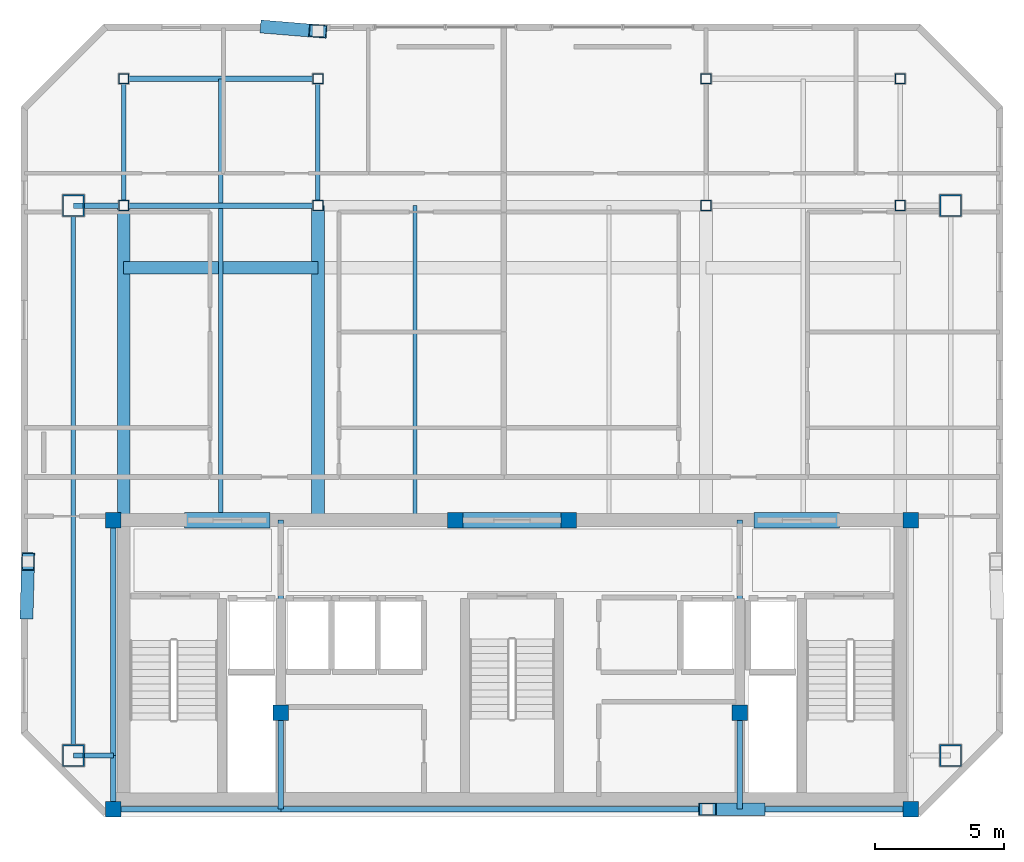
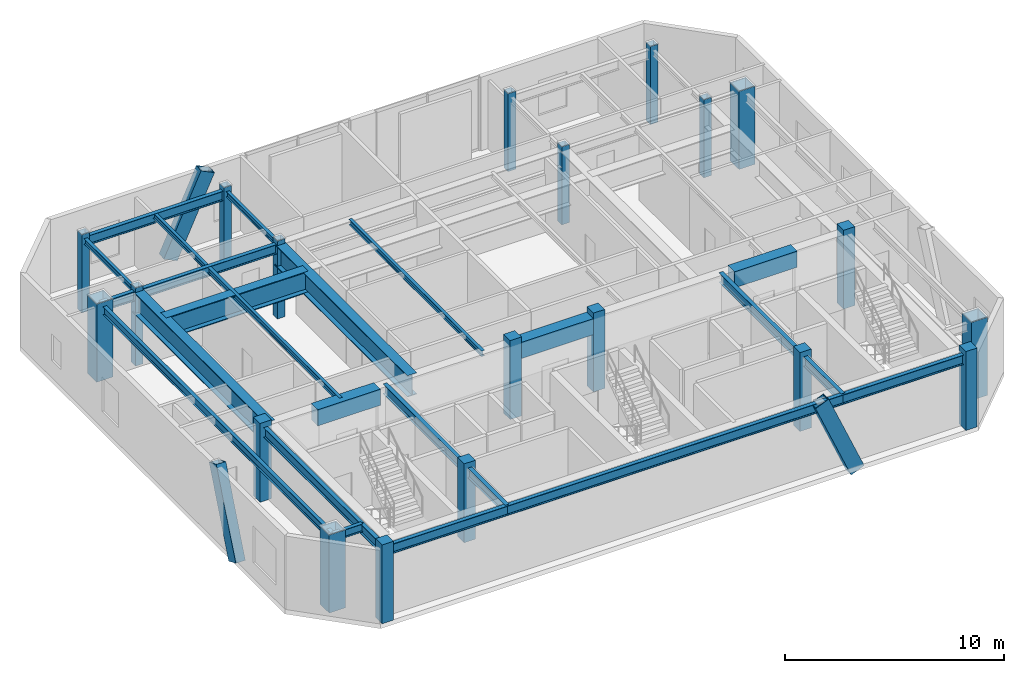
# One storey, part 1 of 10: 25 beams, 20 columns, 3 members.
"""IFC4 building model written with IfcOpenShell, lengths in metres."""

from ifc_helpers import new_model, si_unit, direction, frame, origin, origin_2d, place, context, subcontext, project, spatial, rectangle, hollow_rectangle, i_section, extrude, material, material_profile, profile_set, type_object, element, save


model = new_model("IFC4")

# Units and contexts
model_context = context("Model", 3, precision=1e-05, world=origin(), true_north=direction((0.0, 1.0)))
body_context = subcontext(model_context, "Body", "Model", "MODEL_VIEW")
ifc_project = project(units=[si_unit("LENGTHUNIT", "METRE"), si_unit("AREAUNIT", "SQUARE_METRE"), si_unit("VOLUMEUNIT", "CUBIC_METRE"), si_unit("PLANEANGLEUNIT", "RADIAN"), si_unit("MASSUNIT", "GRAM", prefix="KILO")], contexts=[model_context])

# Site, building, storey
site_placement = place(None, origin())
site = spatial("IfcSite", under=ifc_project, at=site_placement, CompositionType="ELEMENT")
building_placement = place(site_placement, origin())
building = spatial("IfcBuilding", under=site, at=building_placement, Name="Ventersveld Concourse Tower", CompositionType="ELEMENT")
storey_placement = place(building_placement, frame((0.0, 0.0, 362.25)))
storey = spatial("IfcBuildingStorey", under=building, at=storey_placement, Name="L89", CompositionType="ELEMENT", Elevation=362.25)

# Columns
ifc_material_1 = material(Name="Concrete C50/60", Category="concrete")
ifc_material_profile_1 = material_profile(ifc_material_1, rectangle(XDim=0.60009765625, YDim=0.60009765625, at=origin_2d()), Name="RC 600x600")
ifc_profile_set_1 = profile_set([ifc_material_profile_1], Name="Concrete C50/60")
column_type_1 = type_object("IfcColumnType", Name="COL-RC600", PredefinedType="COLUMN", material=ifc_profile_set_1)
for number, where, z_axis, x_axis, name in (
    (1, (13.35009765625, 0.280029296875, 0.0), (0.0, 0.0, 1.0), (1.0, 0.0, 0.0), "L89 Core Spine Column CC-SW"),
    (2, (44.14990234375, 0.280029296875, 0.0), (0.0, 0.0, 1.0), (1.0, 0.0, 0.0), "L89 Core Spine Column CC-SE"),
    (3, (13.35009765625, 11.449951171875, 0.0), (0.0, 0.0, 1.0), (1.0, 0.0, 0.0), "L89 Core Spine Column CC-NW"),
    (4, (44.14990234375, 11.449951171875, 0.0), (0.0, 0.0, 1.0), (1.0, 0.0, 0.0), "L89 Core Spine Column CC-NE"),
    (5, (19.820068359375, 4.0, 0.0), (0.0, 0.0, 1.0), (1.0, 0.0, 0.0), "L89 Core Spine Column CM-1"),
    (6, (37.550048828125, 4.0, 0.0), (0.0, 0.0, 1.0), (1.0, 0.0, 0.0), "L89 Core Spine Column CM-2"),
    (7, (26.550048828125, 11.449951171875, 0.0), (0.0, 0.0, 1.0), (1.0, 0.0, 0.0), "L89 Core Spine Column CM-3"),
    (8, (30.949951171875, 11.449951171875, 0.0), (0.0, 0.0, 1.0), (1.0, 0.0, 0.0), "L89 Core Spine Column CM-4"),
):
    element("IfcColumn", number, at=place(storey_placement, frame(where, z_axis=z_axis, x_axis=x_axis)), inside=storey, type_object=column_type_1, Name=name, PredefinedType="COLUMN", context=body_context, shape_type="SweptSolid", body=[
        extrude(rectangle(XDim=0.60009765625, YDim=0.60009765625, at=origin_2d()), origin(), (0.0, 0.0, 1.0), 4.39990234375),
    ])
ifc_material_2 = material(Name="Structural steel S355J2", Category="steel")
ifc_material_profile_2 = material_profile(ifc_material_2, hollow_rectangle(XDim=0.39990234375, YDim=0.39990234375, WallThickness=0.02001953125, at=origin_2d()), Name="SHS 400x400x20")
ifc_profile_set_2 = profile_set([ifc_material_profile_2], Name="Structural steel S355J2")
column_type_2 = type_object("IfcColumnType", Name="COL-SHS400", PredefinedType="COLUMN", material=ifc_profile_set_2)
for number, where, z_axis, x_axis, name in (
    (9, (13.75, 23.60009765625, 0.0), (0.0, 0.0, 1.0), (1.0, 0.0, 0.0), "L89 Interior Gravity Column X=13.75 Y=23.60"),
    (10, (21.25, 23.60009765625, 0.0), (0.0, 0.0, 1.0), (1.0, 0.0, 0.0), "L89 Interior Gravity Column X=21.25 Y=23.60"),
    (11, (36.25, 23.60009765625, 0.0), (0.0, 0.0, 1.0), (1.0, 0.0, 0.0), "L89 Interior Gravity Column X=36.25 Y=23.60"),
    (12, (43.75, 23.60009765625, 0.0), (0.0, 0.0, 1.0), (1.0, 0.0, 0.0), "L89 Interior Gravity Column X=43.75 Y=23.60"),
    (13, (13.75, 28.5, 0.0), (0.0, 0.0, 1.0), (1.0, 0.0, 0.0), "L89 Upper-North Gravity Column X=13.75 Y=28.50"),
    (14, (21.25, 28.5, 0.0), (0.0, 0.0, 1.0), (1.0, 0.0, 0.0), "L89 Upper-North Gravity Column X=21.25 Y=28.50"),
    (15, (36.25, 28.5, 0.0), (0.0, 0.0, 1.0), (1.0, 0.0, 0.0), "L89 Upper-North Gravity Column X=36.25 Y=28.50"),
    (16, (43.75, 28.5, 0.0), (0.0, 0.0, 1.0), (1.0, 0.0, 0.0), "L89 Upper-North Gravity Column X=43.75 Y=28.50"),
):
    element("IfcColumn", number, at=place(storey_placement, frame(where, z_axis=z_axis, x_axis=x_axis)), inside=storey, type_object=column_type_2, Name=name, PredefinedType="COLUMN", context=body_context, shape_type="SweptSolid", body=[
        extrude(hollow_rectangle(XDim=0.39990234375, YDim=0.39990234375, WallThickness=0.02001953125, at=origin_2d()), origin(), (0.0, 0.0, 1.0), 4.35009765625),
    ])
ifc_material_3 = material(Name="Structural steel S460ML", Category="steel")
ifc_material_profile_3 = material_profile(ifc_material_3, hollow_rectangle(XDim=0.85009765625, YDim=0.85009765625, WallThickness=0.050048828125, at=origin_2d()), Name="BOX 850x850x50")
ifc_profile_set_3 = profile_set([ifc_material_profile_3], Name="Structural steel S460ML")
column_type_3 = type_object("IfcColumnType", Name="MC-850", PredefinedType="USERDEFINED", material=ifc_profile_set_3)
for number, where, z_axis, x_axis, name in (
    (17, (11.800048828125, 2.35009765625, 0.0), (0.0, 0.0, 1.0), (1.0, 0.0, 0.0), "L89 Corner Mega-Column MC-SW"),
    (18, (45.699951171875, 2.35009765625, 0.0), (0.0, 0.0, 1.0), (1.0, 0.0, 0.0), "L89 Corner Mega-Column MC-SE"),
    (19, (45.699951171875, 23.60009765625, 0.0), (0.0, 0.0, 1.0), (1.0, 0.0, 0.0), "L89 Corner Mega-Column MC-NE"),
    (20, (11.800048828125, 23.60009765625, 0.0), (0.0, 0.0, 1.0), (1.0, 0.0, 0.0), "L89 Corner Mega-Column MC-NW"),
):
    element("IfcColumn", number, at=place(storey_placement, frame(where, z_axis=z_axis, x_axis=x_axis)), inside=storey, type_object=column_type_3, Name=name, ObjectType="MEGA_COLUMN", PredefinedType="USERDEFINED", context=body_context, shape_type="SweptSolid", body=[
        extrude(hollow_rectangle(XDim=0.85009765625, YDim=0.85009765625, WallThickness=0.050048828125, at=origin_2d()), origin(), (0.0, 0.0, 1.0), 4.35009765625),
    ])

# Beams
ifc_material_profile_4 = material_profile(ifc_material_2, i_section(OverallWidth=0.1650390625, OverallDepth=0.303466796875, WebThickness=0.006103515625, FlangeThickness=0.01025390625, FilletRadius=0.0087890625, at=origin_2d()), Name="UB 305x165x40")
ifc_profile_set_4 = profile_set([ifc_material_profile_4], Name="Structural steel S355J2")
beam_type_1 = type_object("IfcBeamType", Name="BM-UB305", PredefinedType="BEAM", material=ifc_profile_set_4)
beam_1_placement = place(storey_placement, frame((13.75, 23.60009765625, 3.9482421875), z_axis=(0.0, 1.0, 0.0), x_axis=(-1.0, 0.0, 0.0)))
element("IfcBeam", 21, at=beam_1_placement, inside=storey, type_object=beam_type_1, Name="L89 N-S Upper-Zone Floor Beam X=13.75", PredefinedType="BEAM", context=body_context, shape_type="SweptSolid", body=[
    extrude(i_section(OverallWidth=0.1650390625, OverallDepth=0.303466796875, WebThickness=0.006103515625, FlangeThickness=0.01025390625, FilletRadius=0.0087890625, at=origin_2d()), origin(), (0.0, 0.0, 1.0), 4.89990234375),
])
beam_2_placement = place(storey_placement, frame((17.5, 11.449951171875, 3.9482421875), z_axis=(0.0, 1.0, 0.0), x_axis=(-1.0, 0.0, 0.0)))
element("IfcBeam", 22, at=beam_2_placement, inside=storey, type_object=beam_type_1, Name="L89 N-S Composite Floor Beam South X=17.50", PredefinedType="BEAM", context=body_context, shape_type="SweptSolid", body=[
    extrude(i_section(OverallWidth=0.1650390625, OverallDepth=0.303466796875, WebThickness=0.006103515625, FlangeThickness=0.01025390625, FilletRadius=0.0087890625, at=origin_2d()), origin(), (0.0, 0.0, 1.0), 12.054931640625),
])
beam_3_placement = place(storey_placement, frame((17.5, 23.695068359375, 3.9482421875), z_axis=(0.0, 1.0, 0.0), x_axis=(-1.0, 0.0, 0.0)))
element("IfcBeam", 23, at=beam_3_placement, inside=storey, type_object=beam_type_1, Name="L89 N-S Upper-Zone Floor Beam X=17.50", PredefinedType="BEAM", context=body_context, shape_type="SweptSolid", body=[
    extrude(i_section(OverallWidth=0.1650390625, OverallDepth=0.303466796875, WebThickness=0.006103515625, FlangeThickness=0.01025390625, FilletRadius=0.0087890625, at=origin_2d()), origin(), (0.0, 0.0, 1.0), 4.804931640625),
])
beam_4_placement = place(storey_placement, frame((21.25, 23.60009765625, 3.9482421875), z_axis=(0.0, 1.0, 0.0), x_axis=(-1.0, 0.0, 0.0)))
element("IfcBeam", 24, at=beam_4_placement, inside=storey, type_object=beam_type_1, Name="L89 N-S Upper-Zone Floor Beam X=21.25", PredefinedType="BEAM", context=body_context, shape_type="SweptSolid", body=[
    extrude(i_section(OverallWidth=0.1650390625, OverallDepth=0.303466796875, WebThickness=0.006103515625, FlangeThickness=0.01025390625, FilletRadius=0.0087890625, at=origin_2d()), origin(), (0.0, 0.0, 1.0), 4.89990234375),
])
beam_5_placement = place(storey_placement, frame((25.0, 11.449951171875, 3.9482421875), z_axis=(0.0, 1.0, 0.0), x_axis=(-1.0, 0.0, 0.0)))
element("IfcBeam", 25, at=beam_5_placement, inside=storey, type_object=beam_type_1, Name="L89 N-S Composite Floor Beam South X=25.00", PredefinedType="BEAM", context=body_context, shape_type="SweptSolid", body=[
    extrude(i_section(OverallWidth=0.1650390625, OverallDepth=0.303466796875, WebThickness=0.006103515625, FlangeThickness=0.01025390625, FilletRadius=0.0087890625, at=origin_2d()), origin(), (0.0, 0.0, 1.0), 12.150146484375),
])
ifc_material_profile_5 = material_profile(ifc_material_1, rectangle(XDim=0.60009765625, YDim=0.89990234375, at=origin_2d()), Name="RC 600x900")
ifc_profile_set_5 = profile_set([ifc_material_profile_5], Name="Concrete C50/60")
beam_type_2 = type_object("IfcBeamType", Name="CB-RC600x900U", PredefinedType="LINTEL", material=ifc_profile_set_5)
beam_6_placement = place(storey_placement, frame((16.10009765625, 11.449951171875, 3.64990234375), z_axis=(1.0, 0.0, 0.0), x_axis=(0.0, 1.0, 0.0)))
element("IfcBeam", 26, at=beam_6_placement, inside=storey, type_object=beam_type_2, Name="L89 Core Coupling Lintel Beam 1", PredefinedType="LINTEL", context=body_context, shape_type="SweptSolid", body=[
    extrude(rectangle(XDim=0.60009765625, YDim=0.89990234375, at=origin_2d()), origin(), (0.0, 0.0, 1.0), 3.2998046875),
])
beam_7_placement = place(storey_placement, frame((26.5, 11.449951171875, 3.64990234375), z_axis=(1.0, 0.0, 0.0), x_axis=(0.0, 1.0, 0.0)))
element("IfcBeam", 27, at=beam_7_placement, inside=storey, type_object=beam_type_2, Name="L89 Core Coupling Lintel Beam 2", PredefinedType="LINTEL", context=body_context, shape_type="SweptSolid", body=[
    extrude(rectangle(XDim=0.60009765625, YDim=0.89990234375, at=origin_2d()), origin(), (0.0, 0.0, 1.0), 4.5),
])
beam_8_placement = place(storey_placement, frame((38.10009765625, 11.449951171875, 3.64990234375), z_axis=(1.0, 0.0, 0.0), x_axis=(0.0, 1.0, 0.0)))
element("IfcBeam", 28, at=beam_8_placement, inside=storey, type_object=beam_type_2, Name="L89 Core Coupling Lintel Beam 3", PredefinedType="LINTEL", context=body_context, shape_type="SweptSolid", body=[
    extrude(rectangle(XDim=0.60009765625, YDim=0.89990234375, at=origin_2d()), origin(), (0.0, 0.0, 1.0), 3.2998046875),
])
ifc_material_profile_6 = material_profile(ifc_material_2, i_section(OverallWidth=0.209228515625, OverallDepth=0.533203125, WebThickness=0.010009765625, FlangeThickness=0.015625, FilletRadius=0.0126953125, at=origin_2d()), Name="UB 533x210x92")
ifc_profile_set_6 = profile_set([ifc_material_profile_6], Name="Structural steel S355J2")
beam_type_3 = type_object("IfcBeamType", Name="GRD-UB533", PredefinedType="T_BEAM", material=ifc_profile_set_6)
beam_9_placement = place(storey_placement, frame((11.800048828125, 23.60009765625, 3.83349609375), z_axis=(1.0, 0.0, 0.0), x_axis=(0.0, 1.0, 0.0)))
element("IfcBeam", 29, at=beam_9_placement, inside=storey, type_object=beam_type_3, Name="L89 Primary E-W Grid Girder Y=23.60 #1", PredefinedType="T_BEAM", context=body_context, shape_type="SweptSolid", body=[
    extrude(i_section(OverallWidth=0.209228515625, OverallDepth=0.533203125, WebThickness=0.010009765625, FlangeThickness=0.015625, FilletRadius=0.0126953125, at=origin_2d()), origin(), (0.0, 0.0, 1.0), 1.949951171875),
])
for number, where, z_axis, x_axis, name in (
    (30, (13.75, 23.60009765625, 3.83349609375), (1.0, 0.0, 0.0), (0.0, 1.0, 0.0), "L89 Primary E-W Grid Girder Y=23.60 #2"),
    (31, (13.75, 28.5, 3.83349609375), (1.0, 0.0, 0.0), (0.0, 1.0, 0.0), "L89 North Girder Y=28.50 W"),
):
    element("IfcBeam", number, at=place(storey_placement, frame(where, z_axis=z_axis, x_axis=x_axis)), inside=storey, type_object=beam_type_3, Name=name, PredefinedType="T_BEAM", context=body_context, shape_type="SweptSolid", body=[
        extrude(i_section(OverallWidth=0.209228515625, OverallDepth=0.533203125, WebThickness=0.010009765625, FlangeThickness=0.015625, FilletRadius=0.0126953125, at=origin_2d()), origin(), (0.0, 0.0, 1.0), 7.5),
    ])
ifc_material_profile_7 = material_profile(ifc_material_2, i_section(OverallWidth=0.2119140625, OverallDepth=0.54443359375, WebThickness=0.0126953125, FlangeThickness=0.021240234375, FilletRadius=0.0126953125, at=origin_2d()), Name="UB 533x210x122")
ifc_profile_set_7 = profile_set([ifc_material_profile_7], Name="Structural steel S355J2")
beam_type_4 = type_object("IfcBeamType", Name="GRD-UB533H", PredefinedType="T_BEAM", material=ifc_profile_set_7)
beam_10_placement = place(storey_placement, frame((13.35009765625, 0.280029296875, 3.827880859375), z_axis=(0.0, 1.0, 0.0), x_axis=(-1.0, 0.0, 0.0)))
element("IfcBeam", 32, at=beam_10_placement, inside=storey, type_object=beam_type_4, Name="L89 Core West Tie Beam S", PredefinedType="T_BEAM", context=body_context, shape_type="SweptSolid", body=[
    extrude(i_section(OverallWidth=0.2119140625, OverallDepth=0.54443359375, WebThickness=0.0126953125, FlangeThickness=0.021240234375, FilletRadius=0.0126953125, at=origin_2d()), origin(), (0.0, 0.0, 1.0), 2.070068359375),
])
beam_11_placement = place(storey_placement, frame((13.35009765625, 2.35009765625, 3.827880859375), z_axis=(0.0, 1.0, 0.0), x_axis=(-1.0, 0.0, 0.0)))
element("IfcBeam", 33, at=beam_11_placement, inside=storey, type_object=beam_type_4, Name="L89 Core West Tie Beam N", PredefinedType="T_BEAM", context=body_context, shape_type="SweptSolid", body=[
    extrude(i_section(OverallWidth=0.2119140625, OverallDepth=0.54443359375, WebThickness=0.0126953125, FlangeThickness=0.021240234375, FilletRadius=0.0126953125, at=origin_2d()), origin(), (0.0, 0.0, 1.0), 9.099853515625),
])
beam_12_placement = place(storey_placement, frame((13.35009765625, 0.280029296875, 3.827880859375), z_axis=(1.0, 0.0, 0.0), x_axis=(0.0, 1.0, 0.0)))
element("IfcBeam", 34, at=beam_12_placement, inside=storey, type_object=beam_type_4, Name="L89 Core South Tie Beam W", PredefinedType="T_BEAM", context=body_context, shape_type="SweptSolid", body=[
    extrude(i_section(OverallWidth=0.2119140625, OverallDepth=0.54443359375, WebThickness=0.0126953125, FlangeThickness=0.021240234375, FilletRadius=0.0126953125, at=origin_2d()), origin(), (0.0, 0.0, 1.0), 6.469970703125),
])
beam_13_placement = place(storey_placement, frame((19.820068359375, 0.280029296875, 3.827880859375), z_axis=(1.0, 0.0, 0.0), x_axis=(0.0, 1.0, 0.0)))
element("IfcBeam", 35, at=beam_13_placement, inside=storey, type_object=beam_type_4, Name="L89 Core South Tie Beam C", PredefinedType="T_BEAM", context=body_context, shape_type="SweptSolid", body=[
    extrude(i_section(OverallWidth=0.2119140625, OverallDepth=0.54443359375, WebThickness=0.0126953125, FlangeThickness=0.021240234375, FilletRadius=0.0126953125, at=origin_2d()), origin(), (0.0, 0.0, 1.0), 17.72998046875),
])
beam_14_placement = place(storey_placement, frame((37.550048828125, 0.280029296875, 3.827880859375), z_axis=(1.0, 0.0, 0.0), x_axis=(0.0, 1.0, 0.0)))
element("IfcBeam", 36, at=beam_14_placement, inside=storey, type_object=beam_type_4, Name="L89 Core South Tie Beam E", PredefinedType="T_BEAM", context=body_context, shape_type="SweptSolid", body=[
    extrude(i_section(OverallWidth=0.2119140625, OverallDepth=0.54443359375, WebThickness=0.0126953125, FlangeThickness=0.021240234375, FilletRadius=0.0126953125, at=origin_2d()), origin(), (0.0, 0.0, 1.0), 6.599853515625),
])
beam_15_placement = place(storey_placement, frame((19.820068359375, 0.280029296875, 3.827880859375), z_axis=(0.0, 1.0, 0.0), x_axis=(-1.0, 0.0, 0.0)))
element("IfcBeam", 37, at=beam_15_placement, inside=storey, type_object=beam_type_4, Name="L89 Core Spine N-S Tie Beam W1", PredefinedType="T_BEAM", context=body_context, shape_type="SweptSolid", body=[
    extrude(i_section(OverallWidth=0.2119140625, OverallDepth=0.54443359375, WebThickness=0.0126953125, FlangeThickness=0.021240234375, FilletRadius=0.0126953125, at=origin_2d()), origin(), (0.0, 0.0, 1.0), 3.719970703125),
])
beam_16_placement = place(storey_placement, frame((19.820068359375, 4.0, 3.827880859375), z_axis=(0.0, 1.0, 0.0), x_axis=(-1.0, 0.0, 0.0)))
element("IfcBeam", 38, at=beam_16_placement, inside=storey, type_object=beam_type_4, Name="L89 Core Spine N-S Tie Beam W2", PredefinedType="T_BEAM", context=body_context, shape_type="SweptSolid", body=[
    extrude(i_section(OverallWidth=0.2119140625, OverallDepth=0.54443359375, WebThickness=0.0126953125, FlangeThickness=0.021240234375, FilletRadius=0.0126953125, at=origin_2d()), origin(), (0.0, 0.0, 1.0), 7.449951171875),
])
beam_17_placement = place(storey_placement, frame((37.550048828125, 0.280029296875, 3.827880859375), z_axis=(0.0, 1.0, 0.0), x_axis=(-1.0, 0.0, 0.0)))
element("IfcBeam", 39, at=beam_17_placement, inside=storey, type_object=beam_type_4, Name="L89 Core Spine N-S Tie Beam E1", PredefinedType="T_BEAM", context=body_context, shape_type="SweptSolid", body=[
    extrude(i_section(OverallWidth=0.2119140625, OverallDepth=0.54443359375, WebThickness=0.0126953125, FlangeThickness=0.021240234375, FilletRadius=0.0126953125, at=origin_2d()), origin(), (0.0, 0.0, 1.0), 3.719970703125),
])
beam_18_placement = place(storey_placement, frame((37.550048828125, 4.0, 3.827880859375), z_axis=(0.0, 1.0, 0.0), x_axis=(-1.0, 0.0, 0.0)))
element("IfcBeam", 40, at=beam_18_placement, inside=storey, type_object=beam_type_4, Name="L89 Core Spine N-S Tie Beam E2", PredefinedType="T_BEAM", context=body_context, shape_type="SweptSolid", body=[
    extrude(i_section(OverallWidth=0.2119140625, OverallDepth=0.54443359375, WebThickness=0.0126953125, FlangeThickness=0.021240234375, FilletRadius=0.0126953125, at=origin_2d()), origin(), (0.0, 0.0, 1.0), 7.449951171875),
])

# Members
ifc_material_4 = material(Name="Structural steel S355ML", Category="steel")
ifc_material_profile_8 = material_profile(ifc_material_4, hollow_rectangle(XDim=0.5, YDim=0.75, WallThickness=0.034912109375, at=origin_2d()), Name="BOX 750x500x35")
ifc_profile_set_8 = profile_set([ifc_material_profile_8], Name="Structural steel S355ML")
member_type = type_object("IfcMemberType", Name="MB-750x500", PredefinedType="BRACE", material=ifc_profile_set_8)
member_1_placement = place(storey_placement, frame((19.375, 30.494140625, -0.260009765625), z_axis=(0.394847161186, -0.032441218582, 0.91817388693), x_axis=(0.08188553882, 0.996641740312, 0.0)))
element("IfcMember", 41, at=member_1_placement, inside=storey, type_object=member_type, Name="L89 Exterior Mega-Brace N (Module M21)", PredefinedType="BRACE", context=body_context, shape_type="SweptSolid", body=[
    extrude(hollow_rectangle(XDim=0.5, YDim=0.75, WallThickness=0.034912109375, at=origin_2d()), origin(), (0.0, 0.0, 1.0), 4.748779296875),
])
member_2_placement = place(storey_placement, frame((38.175048828125, 0.280029296875, -0.260009765625), z_axis=(-0.395055100357, 0.0, 0.918657426728), x_axis=(0.0, -1.0, 0.0)))
element("IfcMember", 42, at=member_2_placement, inside=storey, type_object=member_type, Name="L89 Exterior Mega-Brace S (Module M21)", PredefinedType="BRACE", context=body_context, shape_type="SweptSolid", body=[
    extrude(hollow_rectangle(XDim=0.5, YDim=0.75, WallThickness=0.034912109375, at=origin_2d()), origin(), (0.0, 0.0, 1.0), 4.74609375),
])
member_3_placement = place(storey_placement, frame((10.001708984375, 7.97509765625, -0.260009765625), z_axis=(0.011213098632, 0.39503026373, 0.918599671868), x_axis=(-0.999597377348, 0.028373988055, 0.0)))
element("IfcMember", 43, at=member_3_placement, inside=storey, type_object=member_type, Name="L89 Exterior Mega-Brace W (Module M21)", PredefinedType="BRACE", context=body_context, shape_type="SweptSolid", body=[
    extrude(hollow_rectangle(XDim=0.5, YDim=0.75, WallThickness=0.034912109375, at=origin_2d()), origin(), (0.0, 0.0, 1.0), 4.74658203125),
])

# Beams
ifc_material_profile_9 = material_profile(ifc_material_2, i_section(OverallWidth=0.19140625, OverallDepth=0.4599609375, WebThickness=0.010009765625, FlangeThickness=0.01611328125, FilletRadius=0.01025390625, at=origin_2d()), Name="UB 457x191x82")
ifc_profile_set_9 = profile_set([ifc_material_profile_9], Name="Structural steel S355J2")
beam_type_5 = type_object("IfcBeamType", Name="SPD-UB457", PredefinedType="SPANDREL", material=ifc_profile_set_9)
beam_19_placement = place(storey_placement, frame((11.800048828125, 2.35009765625, 3.8701171875), z_axis=(1.0, 0.0, 0.0), x_axis=(0.0, 1.0, 0.0)))
element("IfcBeam", 44, at=beam_19_placement, inside=storey, type_object=beam_type_5, Name="L89 SW Spandrel Beam", PredefinedType="SPANDREL", context=body_context, shape_type="SweptSolid", body=[
    extrude(i_section(OverallWidth=0.19140625, OverallDepth=0.4599609375, WebThickness=0.010009765625, FlangeThickness=0.01611328125, FilletRadius=0.01025390625, at=origin_2d()), origin(), (0.0, 0.0, 1.0), 1.550048828125),
])
beam_20_placement = place(storey_placement, frame((11.800048828125, 2.35009765625, 3.8701171875), z_axis=(0.0, 1.0, 0.0), x_axis=(-1.0, 0.0, 0.0)))
element("IfcBeam", 45, at=beam_20_placement, inside=storey, type_object=beam_type_5, Name="L89 West Spandrel Beam", PredefinedType="SPANDREL", context=body_context, shape_type="SweptSolid", body=[
    extrude(i_section(OverallWidth=0.19140625, OverallDepth=0.4599609375, WebThickness=0.010009765625, FlangeThickness=0.01611328125, FilletRadius=0.01025390625, at=origin_2d()), origin(), (0.0, 0.0, 1.0), 21.25),
])
ifc_material_profile_10 = material_profile(ifc_material_3, i_section(OverallWidth=0.5, OverallDepth=1.199951171875, WebThickness=0.028076171875, FlangeThickness=0.044921875, at=origin_2d()), Name="PG 1200x500x45")
ifc_profile_set_10 = profile_set([ifc_material_profile_10], Name="Structural steel S460ML")
beam_type_6 = type_object("IfcBeamType", Name="TG-PG1200", PredefinedType="USERDEFINED", material=ifc_profile_set_10)
for number, where, z_axis, x_axis, name in (
    (46, (13.75, 11.449951171875, 3.5), (0.0, 1.0, 0.0), (-1.0, 0.0, 0.0), "L89 Crown Drum North Support Transfer Girder X=13.75"),
    (47, (21.25, 11.449951171875, 3.5), (0.0, 1.0, 0.0), (-1.0, 0.0, 0.0), "L89 Crown Drum North Support Transfer Girder X=21.25"),
):
    element("IfcBeam", number, at=place(storey_placement, frame(where, z_axis=z_axis, x_axis=x_axis)), inside=storey, type_object=beam_type_6, Name=name, ObjectType="TRANSFER_GIRDER", PredefinedType="USERDEFINED", context=body_context, shape_type="SweptSolid", body=[
        extrude(i_section(OverallWidth=0.5, OverallDepth=1.199951171875, WebThickness=0.028076171875, FlangeThickness=0.044921875, at=origin_2d()), origin(), (0.0, 0.0, 1.0), 12.150146484375),
    ])
beam_21_placement = place(storey_placement, frame((13.75, 21.199951171875, 3.5), z_axis=(1.0, 0.0, 0.0), x_axis=(0.0, 1.0, 0.0)))
element("IfcBeam", 48, at=beam_21_placement, inside=storey, type_object=beam_type_6, Name="L89 Crown North Ring Transfer 1", ObjectType="TRANSFER_GIRDER", PredefinedType="USERDEFINED", context=body_context, shape_type="SweptSolid", body=[
    extrude(i_section(OverallWidth=0.5, OverallDepth=1.199951171875, WebThickness=0.028076171875, FlangeThickness=0.044921875, at=origin_2d()), origin(), (0.0, 0.0, 1.0), 7.5),
])

save(model, "model.ifc")
